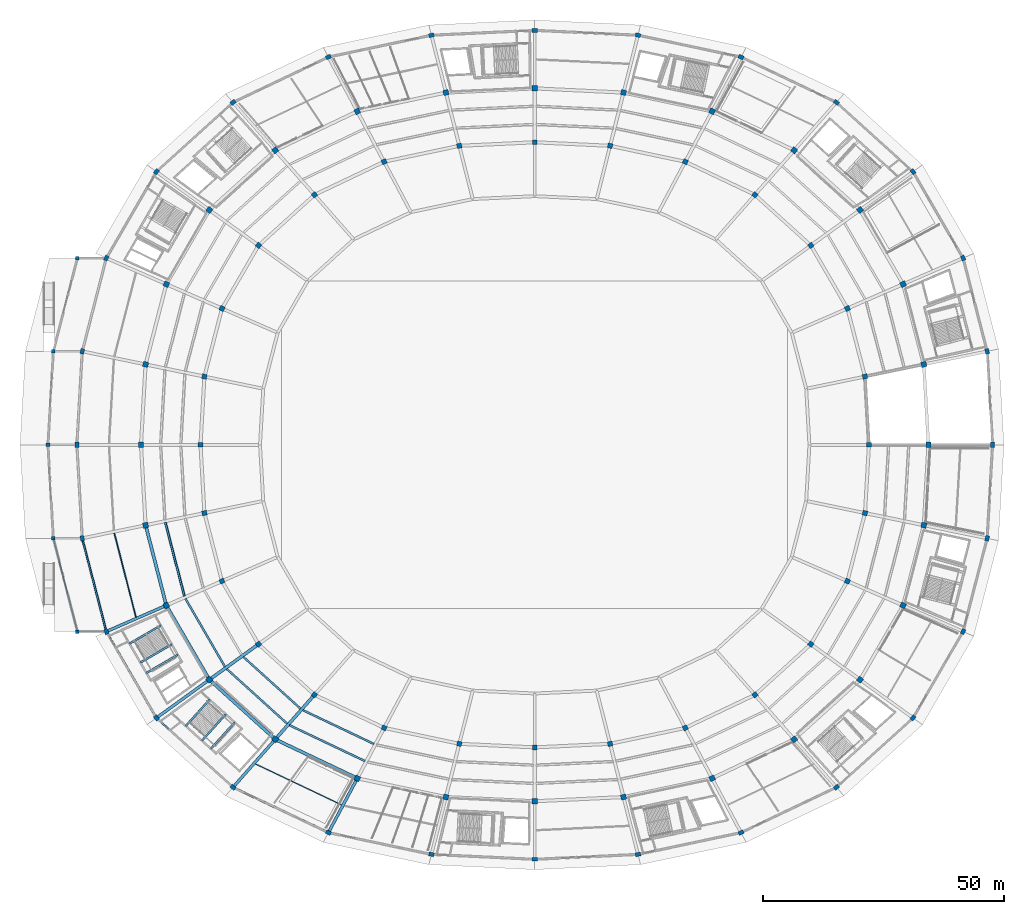
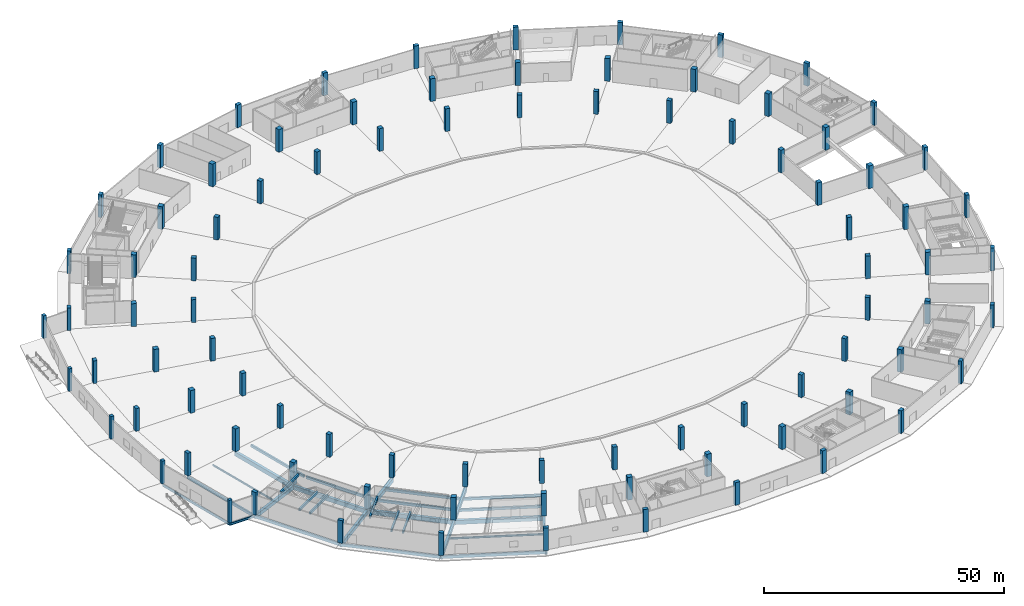
# One storey, part 1 of 48: 89 columns, 30 beams.
"""IFC4 building model written with IfcOpenShell, lengths in metres."""

from ifc_helpers import new_model, si_unit, direction, frame, origin, origin_2d, place, context, subcontext, project, spatial, rectangle, i_section, extrude, material, material_profile, profile_set, type_object, element, save


model = new_model("IFC4")

# Units and contexts
model_context = context("Model", 3, precision=1e-05, world=origin(), true_north=direction((0.0, 1.0)))
body_context = subcontext(model_context, "Body", "Model", "MODEL_VIEW")
ifc_project = project(units=[si_unit("LENGTHUNIT", "METRE"), si_unit("AREAUNIT", "SQUARE_METRE"), si_unit("VOLUMEUNIT", "CUBIC_METRE"), si_unit("PLANEANGLEUNIT", "RADIAN"), si_unit("MASSUNIT", "GRAM", prefix="KILO")], contexts=[model_context])

# Site, building, storey
site_placement = place(None, origin())
site = spatial("IfcSite", under=ifc_project, at=site_placement, CompositionType="ELEMENT")
building_placement = place(site_placement, origin())
building = spatial("IfcBuilding", under=site, at=building_placement, Name="Kazemori Nagisa Stadium", CompositionType="ELEMENT")
storey_placement = place(building_placement, origin())
storey = spatial("IfcBuildingStorey", under=building, at=storey_placement, Name="L00", CompositionType="ELEMENT", Elevation=0.0)

# Columns
ifc_material_1 = material(Name="Concrete C40/50 (Fc42)", Category="concrete")
ifc_material_profile_1 = material_profile(ifc_material_1, rectangle(XDim=1.0, YDim=1.0, at=origin_2d()), Name="RC-COL-1000x1000")
ifc_profile_set_1 = profile_set([ifc_material_profile_1], Name="Concrete C40/50 (Fc42)")
column_type_1 = type_object("IfcColumnType", Name="Column_C-RC1000", PredefinedType="COLUMN", material=ifc_profile_set_1)
for number, where, z_axis, x_axis, name in (
    (1, (192.35009765625, 102.0, 0.0), (0.0, 0.0, 1.0), (1.0, 0.0, 0.0), "Column C-RC1000 L00 R1-01"),
    (2, (191.532958984375, 116.160400390625, 0.0), (0.0, 0.0, 1.0), (0.974927912182, 0.222520933954, 0.0), "Column C-RC1000 L00 R1-02"),
    (3, (187.885986328125, 130.287109375, 0.0), (0.0, 0.0, 1.0), (0.900968867905, 0.433883739113, 0.0), "Column C-RC1000 L00 R1-03"),
    (4, (180.301513671875, 143.367431640625, 0.0), (0.0, 0.0, 1.0), (0.781831482473, 0.623489801853, 0.0), "Column C-RC1000 L00 R1-04"),
    (5, (168.696533203125, 153.873046875, 0.0), (0.0, 0.0, 1.0), (0.623489801853, 0.781831482473, 0.0), "Column C-RC1000 L00 R1-05"),
    (6, (154.24755859375, 160.739013671875, 0.0), (0.0, 0.0, 1.0), (0.433883739113, 0.900968867905, 0.0), "Column C-RC1000 L00 R1-06"),
    (7, (138.64208984375, 164.040283203125, 0.0), (0.0, 0.0, 1.0), (0.222520933954, 0.974927912182, 0.0), "Column C-RC1000 L00 R1-07"),
    (8, (123.0, 164.780029296875, 0.0), (0.0, 0.0, 1.0), (0.0, 1.0, 0.0), "Column C-RC1000 L00 R1-08"),
    (9, (107.35791015625, 164.040283203125, 0.0), (0.0, 0.0, 1.0), (-0.222520933954, 0.974927912182, 0.0), "Column C-RC1000 L00 R1-09"),
    (10, (91.75244140625, 160.739013671875, 0.0), (0.0, 0.0, 1.0), (-0.433883739113, 0.900968867905, 0.0), "Column C-RC1000 L00 R1-10"),
    (11, (77.303466796875, 153.873046875, 0.0), (0.0, 0.0, 1.0), (-0.623489801853, 0.781831482473, 0.0), "Column C-RC1000 L00 R1-11"),
    (12, (65.698486328125, 143.367431640625, 0.0), (0.0, 0.0, 1.0), (-0.781831482473, 0.623489801853, 0.0), "Column C-RC1000 L00 R1-12"),
    (13, (58.114013671875, 130.287109375, 0.0), (0.0, 0.0, 1.0), (-0.900968867905, 0.433883739113, 0.0), "Column C-RC1000 L00 R1-13"),
    (14, (54.467041015625, 116.160400390625, 0.0), (0.0, 0.0, 1.0), (-0.974927912182, 0.222520933954, 0.0), "Column C-RC1000 L00 R1-14"),
    (15, (53.64990234375, 102.0, 0.0), (0.0, 0.0, 1.0), (-1.0, 0.0, 0.0), "Column C-RC1000 L00 R1-15"),
    (16, (54.467041015625, 87.839599609375, 0.0), (0.0, 0.0, 1.0), (-0.974927912182, -0.222520933954, 0.0), "Column C-RC1000 L00 R1-16"),
    (17, (58.114013671875, 73.712890625, 0.0), (0.0, 0.0, 1.0), (-0.900968867905, -0.433883739113, 0.0), "Column C-RC1000 L00 R1-17"),
    (18, (65.698486328125, 60.632568359375, 0.0), (0.0, 0.0, 1.0), (-0.781831482473, -0.623489801853, 0.0), "Column C-RC1000 L00 R1-18"),
    (19, (77.303466796875, 50.126953125, 0.0), (0.0, 0.0, 1.0), (-0.623489801853, -0.781831482473, 0.0), "Column C-RC1000 L00 R1-19"),
    (20, (91.75244140625, 43.260986328125, 0.0), (0.0, 0.0, 1.0), (-0.433883739113, -0.900968867905, 0.0), "Column C-RC1000 L00 R1-20"),
    (21, (107.35791015625, 39.959716796875, 0.0), (0.0, 0.0, 1.0), (-0.222520933954, -0.974927912182, 0.0), "Column C-RC1000 L00 R1-21"),
    (22, (123.0, 39.219970703125, 0.0), (0.0, 0.0, 1.0), (0.0, -1.0, 0.0), "Column C-RC1000 L00 R1-22"),
    (23, (138.64208984375, 39.959716796875, 0.0), (0.0, 0.0, 1.0), (0.222520933954, -0.974927912182, 0.0), "Column C-RC1000 L00 R1-23"),
    (24, (154.24755859375, 43.260986328125, 0.0), (0.0, 0.0, 1.0), (0.433883739113, -0.900968867905, 0.0), "Column C-RC1000 L00 R1-24"),
    (25, (168.696533203125, 50.126953125, 0.0), (0.0, 0.0, 1.0), (0.623489801853, -0.781831482473, 0.0), "Column C-RC1000 L00 R1-25"),
    (26, (180.301513671875, 60.632568359375, 0.0), (0.0, 0.0, 1.0), (0.781831482473, -0.623489801853, 0.0), "Column C-RC1000 L00 R1-26"),
    (27, (187.885986328125, 73.712890625, 0.0), (0.0, 0.0, 1.0), (0.900968867905, -0.433883739113, 0.0), "Column C-RC1000 L00 R1-27"),
    (28, (191.532958984375, 87.839599609375, 0.0), (0.0, 0.0, 1.0), (0.974927912182, -0.222520933954, 0.0), "Column C-RC1000 L00 R1-28"),
):
    element("IfcColumn", number, at=place(storey_placement, frame(where, z_axis=z_axis, x_axis=x_axis)), inside=storey, type_object=column_type_1, Name=name, PredefinedType="COLUMN", context=body_context, shape_type="SweptSolid", body=[
        extrude(rectangle(XDim=1.0, YDim=1.0, at=origin_2d()), origin(), (0.0, 0.0, 1.0), 5.780029296875),
    ])
ifc_material_profile_2 = material_profile(ifc_material_1, rectangle(XDim=1.10009765625, YDim=1.10009765625, at=origin_2d()), Name="RC-COL-1100x1100")
ifc_profile_set_2 = profile_set([ifc_material_profile_2], Name="Concrete C40/50 (Fc42)")
column_type_2 = type_object("IfcColumnType", Name="Column_C-RC1100", PredefinedType="COLUMN", material=ifc_profile_set_2)
for number, where, z_axis, x_axis, name in (
    (29, (204.699951171875, 102.0, 0.0), (0.0, 0.0, 1.0), (1.0, 0.0, 0.0), "Column C-RC1100 L00 R2-01"),
    (30, (203.737548828125, 118.68212890625, 0.0), (0.0, 0.0, 1.0), (0.974927912182, 0.222520933954, 0.0), "Column C-RC1100 L00 R2-02"),
    (31, (199.44091796875, 135.32470703125, 0.0), (0.0, 0.0, 1.0), (0.900968867905, 0.433883739113, 0.0), "Column C-RC1100 L00 R2-03"),
    (32, (190.506103515625, 150.734130859375, 0.0), (0.0, 0.0, 1.0), (0.781831482473, 0.623489801853, 0.0), "Column C-RC1100 L00 R2-04"),
    (33, (176.834228515625, 163.11083984375, 0.0), (0.0, 0.0, 1.0), (0.623489801853, 0.781831482473, 0.0), "Column C-RC1100 L00 R2-05"),
    (34, (159.81201171875, 171.19921875, 0.0), (0.0, 0.0, 1.0), (0.433883739113, 0.900968867905, 0.0), "Column C-RC1100 L00 R2-06"),
    (35, (141.427734375, 175.088623046875, 0.0), (0.0, 0.0, 1.0), (0.222520933954, 0.974927912182, 0.0), "Column C-RC1100 L00 R2-07"),
    (36, (123.0, 175.9599609375, 0.0), (0.0, 0.0, 1.0), (0.0, 1.0, 0.0), "Column C-RC1100 L00 R2-08"),
    (37, (104.572265625, 175.088623046875, 0.0), (0.0, 0.0, 1.0), (-0.222520933954, 0.974927912182, 0.0), "Column C-RC1100 L00 R2-09"),
    (38, (86.18798828125, 171.19921875, 0.0), (0.0, 0.0, 1.0), (-0.433883739113, 0.900968867905, 0.0), "Column C-RC1100 L00 R2-10"),
    (39, (69.165771484375, 163.11083984375, 0.0), (0.0, 0.0, 1.0), (-0.623489801853, 0.781831482473, 0.0), "Column C-RC1100 L00 R2-11"),
    (40, (55.493896484375, 150.734130859375, 0.0), (0.0, 0.0, 1.0), (-0.781831482473, 0.623489801853, 0.0), "Column C-RC1100 L00 R2-12"),
    (41, (46.55908203125, 135.32470703125, 0.0), (0.0, 0.0, 1.0), (-0.900968867905, 0.433883739113, 0.0), "Column C-RC1100 L00 R2-13"),
    (42, (42.262451171875, 118.68212890625, 0.0), (0.0, 0.0, 1.0), (-0.974927912182, 0.222520933954, 0.0), "Column C-RC1100 L00 R2-14"),
    (43, (41.300048828125, 102.0, 0.0), (0.0, 0.0, 1.0), (-1.0, 0.0, 0.0), "Column C-RC1100 L00 R2-15"),
    (44, (42.262451171875, 85.31787109375, 0.0), (0.0, 0.0, 1.0), (-0.974927912182, -0.222520933954, 0.0), "Column C-RC1100 L00 R2-16"),
    (45, (46.55908203125, 68.67529296875, 0.0), (0.0, 0.0, 1.0), (-0.900968867905, -0.433883739113, 0.0), "Column C-RC1100 L00 R2-17"),
    (46, (55.493896484375, 53.265869140625, 0.0), (0.0, 0.0, 1.0), (-0.781831482473, -0.623489801853, 0.0), "Column C-RC1100 L00 R2-18"),
    (47, (69.165771484375, 40.88916015625, 0.0), (0.0, 0.0, 1.0), (-0.623489801853, -0.781831482473, 0.0), "Column C-RC1100 L00 R2-19"),
    (48, (86.18798828125, 32.80078125, 0.0), (0.0, 0.0, 1.0), (-0.433883739113, -0.900968867905, 0.0), "Column C-RC1100 L00 R2-20"),
    (49, (104.572265625, 28.911376953125, 0.0), (0.0, 0.0, 1.0), (-0.222520933954, -0.974927912182, 0.0), "Column C-RC1100 L00 R2-21"),
    (50, (123.0, 28.0400390625, 0.0), (0.0, 0.0, 1.0), (0.0, -1.0, 0.0), "Column C-RC1100 L00 R2-22"),
    (51, (141.427734375, 28.911376953125, 0.0), (0.0, 0.0, 1.0), (0.222520933954, -0.974927912182, 0.0), "Column C-RC1100 L00 R2-23"),
    (52, (159.81201171875, 32.80078125, 0.0), (0.0, 0.0, 1.0), (0.433883739113, -0.900968867905, 0.0), "Column C-RC1100 L00 R2-24"),
    (53, (176.834228515625, 40.88916015625, 0.0), (0.0, 0.0, 1.0), (0.623489801853, -0.781831482473, 0.0), "Column C-RC1100 L00 R2-25"),
    (54, (190.506103515625, 53.265869140625, 0.0), (0.0, 0.0, 1.0), (0.781831482473, -0.623489801853, 0.0), "Column C-RC1100 L00 R2-26"),
    (55, (199.44091796875, 68.67529296875, 0.0), (0.0, 0.0, 1.0), (0.900968867905, -0.433883739113, 0.0), "Column C-RC1100 L00 R2-27"),
    (56, (203.737548828125, 85.31787109375, 0.0), (0.0, 0.0, 1.0), (0.974927912182, -0.222520933954, 0.0), "Column C-RC1100 L00 R2-28"),
):
    element("IfcColumn", number, at=place(storey_placement, frame(where, z_axis=z_axis, x_axis=x_axis)), inside=storey, type_object=column_type_2, Name=name, PredefinedType="COLUMN", context=body_context, shape_type="SweptSolid", body=[
        extrude(rectangle(XDim=1.10009765625, YDim=1.10009765625, at=origin_2d()), origin(), (0.0, 0.0, 1.0), 5.780029296875),
    ])
ifc_material_profile_3 = material_profile(ifc_material_1, rectangle(XDim=0.75, YDim=0.75, at=origin_2d()), Name="RC-COL-750x750")
ifc_profile_set_3 = profile_set([ifc_material_profile_3], Name="Concrete C40/50 (Fc42)")
column_type_3 = type_object("IfcColumnType", Name="Column_C-RC750", PredefinedType="COLUMN", material=ifc_profile_set_3)
for number, where, z_axis, x_axis, name in (
    (57, (28.114990234375, 140.74951171875, 0.0), (0.0, 0.0, 1.0), (1.0, 0.0, 0.0), "Boulevard column C-RC750 L00 R4-13"),
    (58, (23.119140625, 121.397705078125, 0.0), (0.0, 0.0, 1.0), (1.0, 0.0, 0.0), "Boulevard column C-RC750 L00 R4-14"),
    (59, (22.0, 102.0, 0.0), (0.0, 0.0, 1.0), (1.0, 0.0, 0.0), "Boulevard column C-RC750 L00 R4-15"),
    (60, (23.119140625, 82.602294921875, 0.0), (0.0, 0.0, 1.0), (1.0, 0.0, 0.0), "Boulevard column C-RC750 L00 R4-16"),
    (61, (28.114990234375, 63.25048828125, 0.0), (0.0, 0.0, 1.0), (1.0, 0.0, 0.0), "Boulevard column C-RC750 L00 R4-17"),
):
    element("IfcColumn", number, at=place(storey_placement, frame(where, z_axis=z_axis, x_axis=x_axis)), inside=storey, type_object=column_type_3, Name=name, PredefinedType="COLUMN", context=body_context, shape_type="SweptSolid", body=[
        extrude(rectangle(XDim=0.75, YDim=0.75, at=origin_2d()), origin(), (0.0, 0.0, 1.0), 5.780029296875),
    ])
ifc_material_profile_4 = material_profile(ifc_material_1, rectangle(XDim=0.800048828125, YDim=1.10009765625, at=origin_2d()), Name="RC-COL-800x1100")
ifc_profile_set_4 = profile_set([ifc_material_profile_4], Name="Concrete C40/50 (Fc42)")
column_type_4 = type_object("IfcColumnType", Name="Column_C-RC800X1100", PredefinedType="COLUMN", material=ifc_profile_set_4)
for number, where, z_axis, x_axis, name in (
    (62, (218.0, 102.0, 0.0), (0.0, 0.0, 1.0), (1.0, 0.0, 0.0), "Column C-RC800X1100 L00 R3-01"),
    (63, (216.880859375, 121.397705078125, 0.0), (0.0, 0.0, 1.0), (0.974927912182, 0.222520933954, 0.0), "Column C-RC800X1100 L00 R3-02"),
    (64, (211.885009765625, 140.74951171875, 0.0), (0.0, 0.0, 1.0), (0.900968867905, 0.433883739113, 0.0), "Column C-RC800X1100 L00 R3-03"),
    (65, (201.495361328125, 158.667724609375, 0.0), (0.0, 0.0, 1.0), (0.781831482473, 0.623489801853, 0.0), "Column C-RC800X1100 L00 R3-04"),
    (66, (185.597900390625, 173.05908203125, 0.0), (0.0, 0.0, 1.0), (0.623489801853, 0.781831482473, 0.0), "Column C-RC800X1100 L00 R3-05"),
    (67, (165.8046875, 182.46435546875, 0.0), (0.0, 0.0, 1.0), (0.433883739113, 0.900968867905, 0.0), "Column C-RC800X1100 L00 R3-06"),
    (68, (144.427734375, 186.98681640625, 0.0), (0.0, 0.0, 1.0), (0.222520933954, 0.974927912182, 0.0), "Column C-RC800X1100 L00 R3-07"),
    (69, (123.0, 188.0, 0.0), (0.0, 0.0, 1.0), (0.0, 1.0, 0.0), "Column C-RC800X1100 L00 R3-08"),
    (70, (101.572265625, 186.98681640625, 0.0), (0.0, 0.0, 1.0), (-0.222520933954, 0.974927912182, 0.0), "Column C-RC800X1100 L00 R3-09"),
    (71, (80.1953125, 182.46435546875, 0.0), (0.0, 0.0, 1.0), (-0.433883739113, 0.900968867905, 0.0), "Column C-RC800X1100 L00 R3-10"),
    (72, (60.402099609375, 173.05908203125, 0.0), (0.0, 0.0, 1.0), (-0.623489801853, 0.781831482473, 0.0), "Column C-RC800X1100 L00 R3-11"),
    (73, (44.504638671875, 158.667724609375, 0.0), (0.0, 0.0, 1.0), (-0.781831482473, 0.623489801853, 0.0), "Column C-RC800X1100 L00 R3-12"),
    (74, (34.114990234375, 140.74951171875, 0.0), (0.0, 0.0, 1.0), (-0.900968867905, 0.433883739113, 0.0), "Column C-RC800X1100 L00 R3-13"),
    (75, (29.119140625, 121.397705078125, 0.0), (0.0, 0.0, 1.0), (-0.974927912182, 0.222520933954, 0.0), "Column C-RC800X1100 L00 R3-14"),
    (76, (28.0, 102.0, 0.0), (0.0, 0.0, 1.0), (-1.0, 0.0, 0.0), "Column C-RC800X1100 L00 R3-15"),
    (77, (29.119140625, 82.602294921875, 0.0), (0.0, 0.0, 1.0), (-0.974927912182, -0.222520933954, 0.0), "Column C-RC800X1100 L00 R3-16"),
    (78, (34.114990234375, 63.25048828125, 0.0), (0.0, 0.0, 1.0), (-0.900968867905, -0.433883739113, 0.0), "Column C-RC800X1100 L00 R3-17"),
    (79, (44.504638671875, 45.332275390625, 0.0), (0.0, 0.0, 1.0), (-0.781831482473, -0.623489801853, 0.0), "Column C-RC800X1100 L00 R3-18"),
    (80, (60.402099609375, 30.94091796875, 0.0), (0.0, 0.0, 1.0), (-0.623489801853, -0.781831482473, 0.0), "Column C-RC800X1100 L00 R3-19"),
    (81, (80.1953125, 21.53564453125, 0.0), (0.0, 0.0, 1.0), (-0.433883739113, -0.900968867905, 0.0), "Column C-RC800X1100 L00 R3-20"),
    (82, (101.572265625, 17.01318359375, 0.0), (0.0, 0.0, 1.0), (-0.222520933954, -0.974927912182, 0.0), "Column C-RC800X1100 L00 R3-21"),
    (83, (123.0, 16.0, 0.0), (0.0, 0.0, 1.0), (0.0, -1.0, 0.0), "Column C-RC800X1100 L00 R3-22"),
    (84, (144.427734375, 17.01318359375, 0.0), (0.0, 0.0, 1.0), (0.222520933954, -0.974927912182, 0.0), "Column C-RC800X1100 L00 R3-23"),
    (85, (165.8046875, 21.53564453125, 0.0), (0.0, 0.0, 1.0), (0.433883739113, -0.900968867905, 0.0), "Column C-RC800X1100 L00 R3-24"),
    (86, (185.597900390625, 30.94091796875, 0.0), (0.0, 0.0, 1.0), (0.623489801853, -0.781831482473, 0.0), "Column C-RC800X1100 L00 R3-25"),
    (87, (201.495361328125, 45.332275390625, 0.0), (0.0, 0.0, 1.0), (0.781831482473, -0.623489801853, 0.0), "Column C-RC800X1100 L00 R3-26"),
    (88, (211.885009765625, 63.25048828125, 0.0), (0.0, 0.0, 1.0), (0.900968867905, -0.433883739113, 0.0), "Column C-RC800X1100 L00 R3-27"),
    (89, (216.880859375, 82.602294921875, 0.0), (0.0, 0.0, 1.0), (0.974927912182, -0.222520933954, 0.0), "Column C-RC800X1100 L00 R3-28"),
):
    element("IfcColumn", number, at=place(storey_placement, frame(where, z_axis=z_axis, x_axis=x_axis)), inside=storey, type_object=column_type_4, Name=name, PredefinedType="COLUMN", context=body_context, shape_type="SweptSolid", body=[
        extrude(rectangle(XDim=0.800048828125, YDim=1.10009765625, at=origin_2d()), origin(), (0.0, 0.0, 1.0), 5.780029296875),
    ])

# Beams
ifc_material_2 = material(Name="Steel SN490B", Category="steel")
ifc_material_profile_5 = material_profile(ifc_material_2, i_section(OverallWidth=0.300048828125, OverallDepth=0.587890625, WebThickness=0.011962890625, FlangeThickness=0.02001953125, FilletRadius=0.012939453125, at=origin_2d()), Name="H-588x300x12x20")
ifc_profile_set_5 = profile_set([ifc_material_profile_5], Name="Steel SN490B")
beam_type_1 = type_object("IfcBeamType", Name="Beam_BG-H588", PredefinedType="BEAM", material=ifc_profile_set_5)
beam_1_placement = place(storey_placement, frame((34.114990234375, 63.25048828125, -0.593994140625), z_axis=(-1.0, 0.0, 0.0), x_axis=(0.0, -1.0, 0.0)))
element("IfcBeam", 90, at=beam_1_placement, inside=storey, type_object=beam_type_1, Name="Boulevard radial girder BG-H588 L00 R4-17", PredefinedType="BEAM", context=body_context, shape_type="SweptSolid", body=[
    extrude(i_section(OverallWidth=0.300048828125, OverallDepth=0.587890625, WebThickness=0.011962890625, FlangeThickness=0.02001953125, FilletRadius=0.012939453125, at=origin_2d()), origin(), (0.0, 0.0, 1.0), 6.0),
])
ifc_material_profile_6 = material_profile(ifc_material_1, rectangle(XDim=0.39990234375, YDim=0.60009765625, at=origin_2d()), Name="RC-BM-400x600")
ifc_profile_set_6 = profile_set([ifc_material_profile_6], Name="Concrete C40/50 (Fc42)")
beam_type_2 = type_object("IfcBeamType", Name="Beam_BG-LND400X600", PredefinedType="BEAM", material=ifc_profile_set_6)
beam_2_placement = place(storey_placement, frame((47.680419921875, 60.595703125, 2.389892578125), z_axis=(-0.865100563486, -0.501598459981, 0.0), x_axis=(0.501598459981, -0.865100563486, 0.0)))
element("IfcBeam", 91, at=beam_2_placement, inside=storey, type_object=beam_type_2, Name="Core stair mid-landing girder ST09-L00-1", PredefinedType="BEAM", context=body_context, shape_type="SweptSolid", body=[
    extrude(rectangle(XDim=0.39990234375, YDim=0.60009765625, at=origin_2d()), origin(), (0.0, 0.0, 1.0), 7.513671875),
])
beam_3_placement = place(storey_placement, frame((48.9345703125, 58.43310546875, 2.389892578125), z_axis=(-0.865094639125, -0.501608677514, 0.0), x_axis=(0.501608677514, -0.865094639125, 0.0)))
element("IfcBeam", 92, at=beam_3_placement, inside=storey, type_object=beam_type_2, Name="Core stair mid-landing girder ST09-L00-2", PredefinedType="BEAM", context=body_context, shape_type="SweptSolid", body=[
    extrude(rectangle(XDim=0.39990234375, YDim=0.60009765625, at=origin_2d()), origin(), (0.0, 0.0, 1.0), 7.513916015625),
])
beam_4_placement = place(storey_placement, frame((45.408203125, 64.5146484375, 5.199951171875), z_axis=(-0.865086463473, -0.50162277731, 0.0), x_axis=(0.50162277731, -0.865086463473, 0.0)))
element("IfcBeam", 93, at=beam_4_placement, inside=storey, type_object=beam_type_2, Name="Core stair arrival header girder ST09-L00", PredefinedType="BEAM", context=body_context, shape_type="SweptSolid", body=[
    extrude(rectangle(XDim=0.39990234375, YDim=0.60009765625, at=origin_2d()), origin(), (0.0, 0.0, 1.0), 7.513671875),
])
beam_5_placement = place(storey_placement, frame((58.90380859375, 46.091796875, 2.389892578125), z_axis=(-0.671113236271, -0.74135485707, 0.0), x_axis=(0.74135485707, -0.671113236271, 0.0)))
element("IfcBeam", 94, at=beam_5_placement, inside=storey, type_object=beam_type_2, Name="Core stair mid-landing girder ST03-L00-1", PredefinedType="BEAM", context=body_context, shape_type="SweptSolid", body=[
    extrude(rectangle(XDim=0.39990234375, YDim=0.60009765625, at=origin_2d()), origin(), (0.0, 0.0, 1.0), 7.385986328125),
])
for number, where, z_axis, x_axis, name in (
    (95, (60.75732421875, 44.413818359375, 2.389892578125), (-0.671129682405, -0.741339968837, 0.0), (0.741339968837, -0.671129682405, 0.0), "Core stair mid-landing girder ST03-L00-2"),
    (96, (55.545654296875, 49.1318359375, 5.199951171875), (-0.671129682405, -0.741339968837, 0.0), (0.741339968837, -0.671129682405, 0.0), "Core stair arrival header girder ST03-L00"),
):
    element("IfcBeam", number, at=place(storey_placement, frame(where, z_axis=z_axis, x_axis=x_axis)), inside=storey, type_object=beam_type_2, Name=name, PredefinedType="BEAM", context=body_context, shape_type="SweptSolid", body=[
        extrude(rectangle(XDim=0.39990234375, YDim=0.60009765625, at=origin_2d()), origin(), (0.0, 0.0, 1.0), 7.3857421875),
    ])
ifc_material_profile_7 = material_profile(ifc_material_1, rectangle(XDim=0.60009765625, YDim=0.949951171875, at=origin_2d()), Name="RC-BM-600x950")
ifc_profile_set_7 = profile_set([ifc_material_profile_7], Name="Concrete C40/50 (Fc42)")
beam_type_3 = type_object("IfcBeamType", Name="Beam_BG-RC600X950", PredefinedType="BEAM", material=ifc_profile_set_7)
beam_6_placement = place(storey_placement, frame((46.55908203125, 68.67529296875, -0.77490234375), z_axis=(-0.916683633521, -0.399613708517, 0.0), x_axis=(0.399613708517, -0.916683633521, 0.0)))
element("IfcBeam", 97, at=beam_6_placement, inside=storey, type_object=beam_type_3, Name="Radial girder BG-RC600X950 L00 R2-R3-17", PredefinedType="BEAM", context=body_context, shape_type="SweptSolid", body=[
    extrude(rectangle(XDim=0.60009765625, YDim=0.949951171875, at=origin_2d()), origin(), (0.0, 0.0, 1.0), 13.5751953125),
])
beam_7_placement = place(storey_placement, frame((55.493896484375, 53.265869140625, -0.77490234375), z_axis=(-0.810787509935, -0.585340596349, 0.0), x_axis=(0.585340596349, -0.810787509935, 0.0)))
element("IfcBeam", 98, at=beam_7_placement, inside=storey, type_object=beam_type_3, Name="Radial girder BG-RC600X950 L00 R2-R3-18", PredefinedType="BEAM", context=body_context, shape_type="SweptSolid", body=[
    extrude(rectangle(XDim=0.60009765625, YDim=0.949951171875, at=origin_2d()), origin(), (0.0, 0.0, 1.0), 13.5537109375),
])
beam_8_placement = place(storey_placement, frame((69.165771484375, 40.88916015625, -0.77490234375), z_axis=(-0.661019680997, -0.750368563664, 0.0), x_axis=(0.750368563664, -0.661019680997, 0.0)))
element("IfcBeam", 99, at=beam_8_placement, inside=storey, type_object=beam_type_3, Name="Radial girder BG-RC600X950 L00 R2-R3-19", PredefinedType="BEAM", context=body_context, shape_type="SweptSolid", body=[
    extrude(rectangle(XDim=0.60009765625, YDim=0.949951171875, at=origin_2d()), origin(), (0.0, 0.0, 1.0), 13.2578125),
])
beam_9_placement = place(storey_placement, frame((86.18798828125, 32.80078125, -0.77490234375), z_axis=(-0.469648511848, -0.882853484628, 0.0), x_axis=(0.882853484628, -0.469648511848, 0.0)))
element("IfcBeam", 100, at=beam_9_placement, inside=storey, type_object=beam_type_3, Name="Radial girder BG-RC600X950 L00 R2-R3-20", PredefinedType="BEAM", context=body_context, shape_type="SweptSolid", body=[
    extrude(rectangle(XDim=0.60009765625, YDim=0.949951171875, at=origin_2d()), origin(), (0.0, 0.0, 1.0), 12.760009765625),
])
ifc_material_profile_8 = material_profile(ifc_material_1, rectangle(XDim=0.64990234375, YDim=1.050048828125, at=origin_2d()), Name="RC-BM-650x1050")
ifc_profile_set_8 = profile_set([ifc_material_profile_8], Name="Concrete C40/50 (Fc42)")
beam_type_4 = type_object("IfcBeamType", Name="Beam_BG-RC650X1050", PredefinedType="BEAM", material=ifc_profile_set_8)
beam_10_placement = place(storey_placement, frame((42.262451171875, 85.31787109375, -0.824951171875), z_axis=(0.249974673676, -0.968252375427, 0.0), x_axis=(0.968252375427, 0.249974673676, 0.0)))
element("IfcBeam", 101, at=beam_10_placement, inside=storey, type_object=beam_type_4, Name="Ring girder BG-RC650X1050 L00 R2-16", PredefinedType="BEAM", context=body_context, shape_type="SweptSolid", body=[
    extrude(rectangle(XDim=0.64990234375, YDim=1.050048828125, at=origin_2d()), origin(), (0.0, 0.0, 1.0), 17.188232421875),
])
beam_11_placement = place(storey_placement, frame((46.55908203125, 68.67529296875, -0.824951171875), z_axis=(0.501606704589, -0.865095783085, 0.0), x_axis=(0.865095783085, 0.501606704589, 0.0)))
element("IfcBeam", 102, at=beam_11_placement, inside=storey, type_object=beam_type_4, Name="Ring girder BG-RC650X1050 L00 R2-17", PredefinedType="BEAM", context=body_context, shape_type="SweptSolid", body=[
    extrude(rectangle(XDim=0.64990234375, YDim=1.050048828125, at=origin_2d()), origin(), (0.0, 0.0, 1.0), 17.8125),
])
beam_12_placement = place(storey_placement, frame((55.493896484375, 53.265869140625, -0.824951171875), z_axis=(0.741349142139, -0.671119549298, 0.0), x_axis=(0.671119549298, 0.741349142139, 0.0)))
element("IfcBeam", 103, at=beam_12_placement, inside=storey, type_object=beam_type_4, Name="Ring girder BG-RC650X1050 L00 R2-18", PredefinedType="BEAM", context=body_context, shape_type="SweptSolid", body=[
    extrude(rectangle(XDim=0.64990234375, YDim=1.050048828125, at=origin_2d()), origin(), (0.0, 0.0, 1.0), 18.44189453125),
])
beam_13_placement = place(storey_placement, frame((69.165771484375, 40.88916015625, -0.824951171875), z_axis=(0.90321938295, -0.42917915404, 0.0), x_axis=(0.42917915404, 0.90321938295, 0.0)))
element("IfcBeam", 104, at=beam_13_placement, inside=storey, type_object=beam_type_4, Name="Ring girder BG-RC650X1050 L00 R2-19", PredefinedType="BEAM", context=body_context, shape_type="SweptSolid", body=[
    extrude(rectangle(XDim=0.64990234375, YDim=1.050048828125, at=origin_2d()), origin(), (0.0, 0.0, 1.0), 18.84619140625),
])
beam_14_placement = place(storey_placement, frame((65.698486328125, 60.632568359375, -0.824951171875), z_axis=(-0.810802996314, -0.585319144714, 0.0), x_axis=(0.585319144714, -0.810802996314, 0.0)))
element("IfcBeam", 105, at=beam_14_placement, inside=storey, type_object=beam_type_4, Name="Radial girder BG-RC650X1050 L00 R1-R2-18", PredefinedType="BEAM", context=body_context, shape_type="SweptSolid", body=[
    extrude(rectangle(XDim=0.64990234375, YDim=1.050048828125, at=origin_2d()), origin(), (0.0, 0.0, 1.0), 12.585693359375),
])
beam_15_placement = place(storey_placement, frame((77.303466796875, 50.126953125, -0.824951171875), z_axis=(-0.66101406015, -0.75037351518, 0.0), x_axis=(0.75037351518, -0.66101406015, 0.0)))
element("IfcBeam", 106, at=beam_15_placement, inside=storey, type_object=beam_type_4, Name="Radial girder BG-RC650X1050 L00 R1-R2-19", PredefinedType="BEAM", context=body_context, shape_type="SweptSolid", body=[
    extrude(rectangle(XDim=0.64990234375, YDim=1.050048828125, at=origin_2d()), origin(), (0.0, 0.0, 1.0), 12.31103515625),
])
ifc_material_profile_9 = material_profile(ifc_material_2, i_section(OverallWidth=0.199951171875, OverallDepth=0.449951171875, WebThickness=0.009033203125, FlangeThickness=0.013916015625, FilletRadius=0.012939453125, at=origin_2d()), Name="H-450x200x9x14")
ifc_profile_set_9 = profile_set([ifc_material_profile_9], Name="Steel SN490B")
beam_type_5 = type_object("IfcBeamType", Name="Beam_BJ-H450", PredefinedType="JOIST", material=ifc_profile_set_9)
beam_16_placement = place(storey_placement, frame((35.7646484375, 83.674560546875, -0.52490234375), z_axis=(0.249955969604, -0.968257204083, 0.0), x_axis=(0.968257204083, 0.249955969604, 0.0)))
element("IfcBeam", 107, at=beam_16_placement, inside=storey, type_object=beam_type_5, Name="Outer bay joist BJ-H450 L00 B16", PredefinedType="JOIST", context=body_context, shape_type="SweptSolid", body=[
    extrude(i_section(OverallWidth=0.199951171875, OverallDepth=0.449951171875, WebThickness=0.009033203125, FlangeThickness=0.013916015625, FilletRadius=0.012939453125, at=origin_2d()), origin(), (0.0, 0.0, 1.0), 17.997314453125),
])
beam_17_placement = place(storey_placement, frame((65.05029296875, 35.78857421875, -0.52490234375), z_axis=(0.903215938438, -0.429186403036, 0.0), x_axis=(0.429186403036, 0.903215938438, 0.0)))
element("IfcBeam", 108, at=beam_17_placement, inside=storey, type_object=beam_type_5, Name="Outer bay joist BJ-H450 L00 B19", PredefinedType="JOIST", context=body_context, shape_type="SweptSolid", body=[
    extrude(i_section(OverallWidth=0.199951171875, OverallDepth=0.449951171875, WebThickness=0.009033203125, FlangeThickness=0.013916015625, FilletRadius=0.012939453125, at=origin_2d()), origin(), (0.0, 0.0, 1.0), 19.7900390625),
])
ifc_material_profile_10 = material_profile(ifc_material_1, rectangle(XDim=0.39990234375, YDim=0.64990234375, at=origin_2d()), Name="RC-BM-400x650")
ifc_profile_set_10 = profile_set([ifc_material_profile_10], Name="Concrete C40/50 (Fc42)")
beam_type_6 = type_object("IfcBeamType", Name="Beam_BJ-RC400X650", PredefinedType="JOIST", material=ifc_profile_set_10)
beam_18_placement = place(storey_placement, frame((46.373046875, 85.866455078125, -0.625), z_axis=(0.24997419154, -0.968252499901, 0.0), x_axis=(0.968252499901, 0.24997419154, 0.0)))
element("IfcBeam", 109, at=beam_18_placement, inside=storey, type_object=beam_type_6, Name="Concourse joist BJ-RC400X650 L00 B16-2", PredefinedType="JOIST", context=body_context, shape_type="SweptSolid", body=[
    extrude(rectangle(XDim=0.39990234375, YDim=0.64990234375, at=origin_2d()), origin(), (0.0, 0.0, 1.0), 15.739013671875),
])
beam_19_placement = place(storey_placement, frame((50.529052734375, 70.08642578125, -0.625), z_axis=(0.501604213872, -0.865097227268, 0.0), x_axis=(0.865097227268, 0.501604213872, 0.0)))
element("IfcBeam", 110, at=beam_19_placement, inside=storey, type_object=beam_type_6, Name="Concourse joist BJ-RC400X650 L00 B17-2", PredefinedType="JOIST", context=body_context, shape_type="SweptSolid", body=[
    extrude(rectangle(XDim=0.39990234375, YDim=0.64990234375, at=origin_2d()), origin(), (0.0, 0.0, 1.0), 16.331787109375),
])
beam_20_placement = place(storey_placement, frame((62.541748046875, 57.998046875, -0.625), z_axis=(0.741344716793, -0.671124437704, 0.0), x_axis=(0.671124437704, 0.741344716793, 0.0)))
element("IfcBeam", 111, at=beam_20_placement, inside=storey, type_object=beam_type_6, Name="Concourse joist BJ-RC400X650 L00 B18-1", PredefinedType="JOIST", context=body_context, shape_type="SweptSolid", body=[
    extrude(rectangle(XDim=0.39990234375, YDim=0.64990234375, at=origin_2d()), origin(), (0.0, 0.0, 1.0), 15.986328125),
])
beam_21_placement = place(storey_placement, frame((59.087890625, 55.504638671875, -0.625), z_axis=(0.741349213887, -0.671119470041, 0.0), x_axis=(0.671119470041, 0.741349213887, 0.0)))
element("IfcBeam", 112, at=beam_21_placement, inside=storey, type_object=beam_type_6, Name="Concourse joist BJ-RC400X650 L00 B18-2", PredefinedType="JOIST", context=body_context, shape_type="SweptSolid", body=[
    extrude(rectangle(XDim=0.39990234375, YDim=0.64990234375, at=origin_2d()), origin(), (0.0, 0.0, 1.0), 16.9296875),
])
beam_22_placement = place(storey_placement, frame((74.878173828125, 46.94482421875, -0.625), z_axis=(0.903215717065, -0.429186868912, 0.0), x_axis=(0.429186868912, 0.903215717065, 0.0)))
element("IfcBeam", 113, at=beam_22_placement, inside=storey, type_object=beam_type_6, Name="Concourse joist BJ-RC400X650 L00 B19-1", PredefinedType="JOIST", context=body_context, shape_type="SweptSolid", body=[
    extrude(rectangle(XDim=0.39990234375, YDim=0.64990234375, at=origin_2d()), origin(), (0.0, 0.0, 1.0), 16.349609375),
])
beam_23_placement = place(storey_placement, frame((72.1240234375, 43.818115234375, -0.625), z_axis=(0.903215468459, -0.429187392099, 0.0), x_axis=(0.429187392099, 0.903215468459, 0.0)))
element("IfcBeam", 114, at=beam_23_placement, inside=storey, type_object=beam_type_6, Name="Concourse joist BJ-RC400X650 L00 B19-2", PredefinedType="JOIST", context=body_context, shape_type="SweptSolid", body=[
    extrude(rectangle(XDim=0.39990234375, YDim=0.64990234375, at=origin_2d()), origin(), (0.0, 0.0, 1.0), 17.31396484375),
])
ifc_material_profile_11 = material_profile(ifc_material_2, i_section(OverallWidth=0.199951171875, OverallDepth=0.60009765625, WebThickness=0.010986328125, FlangeThickness=0.01708984375, FilletRadius=0.012939453125, at=origin_2d()), Name="H-600x200x11x17")
ifc_profile_set_11 = profile_set([ifc_material_profile_11], Name="Steel SN490B")
beam_type_7 = type_object("IfcBeamType", Name="Beam_BS-H600", PredefinedType="SPANDREL", material=ifc_profile_set_11)
beam_24_placement = place(storey_placement, frame((23.119140625, 82.602294921875, -0.593994140625), z_axis=(0.249964097999, -0.968255105699, 0.0), x_axis=(0.968255105699, 0.249964097999, 0.0)))
element("IfcBeam", 115, at=beam_24_placement, inside=storey, type_object=beam_type_7, Name="Boulevard edge beam BS-H600 L00 R4-16", PredefinedType="SPANDREL", context=body_context, shape_type="SweptSolid", body=[
    extrude(i_section(OverallWidth=0.199951171875, OverallDepth=0.60009765625, WebThickness=0.010986328125, FlangeThickness=0.01708984375, FilletRadius=0.012939453125, at=origin_2d()), origin(), (0.0, 0.0, 1.0), 19.986328125),
])
ifc_material_profile_12 = material_profile(ifc_material_1, rectangle(XDim=0.35009765625, YDim=0.699951171875, at=origin_2d()), Name="RC-SP-350x700")
ifc_profile_set_12 = profile_set([ifc_material_profile_12], Name="Concrete C40/50 (Fc42)")
beam_type_8 = type_object("IfcBeamType", Name="Beam_BS-RC350X700", PredefinedType="SPANDREL", material=ifc_profile_set_12)
beam_25_placement = place(storey_placement, frame((29.119140625, 82.602294921875, -0.64990234375), z_axis=(0.249964097999, -0.968255105699, 0.0), x_axis=(0.968255105699, 0.249964097999, 0.0)))
element("IfcBeam", 116, at=beam_25_placement, inside=storey, type_object=beam_type_8, Name="Ring girder BS-RC350X700 L00 R3-16", PredefinedType="SPANDREL", context=body_context, shape_type="SweptSolid", body=[
    extrude(rectangle(XDim=0.35009765625, YDim=0.699951171875, at=origin_2d()), origin(), (0.0, 0.0, 1.0), 19.986328125),
])
beam_26_placement = place(storey_placement, frame((34.114990234375, 63.25048828125, -0.64990234375), z_axis=(0.50161277459, -0.8650922635, 0.0), x_axis=(0.8650922635, 0.50161277459, 0.0)))
element("IfcBeam", 117, at=beam_26_placement, inside=storey, type_object=beam_type_8, Name="Ring girder BS-RC350X700 L00 R3-17", PredefinedType="SPANDREL", context=body_context, shape_type="SweptSolid", body=[
    extrude(rectangle(XDim=0.35009765625, YDim=0.699951171875, at=origin_2d()), origin(), (0.0, 0.0, 1.0), 20.71240234375),
])
beam_27_placement = place(storey_placement, frame((44.504638671875, 45.332275390625, -0.64990234375), z_axis=(0.741351531326, -0.671116910084, 0.0), x_axis=(0.671116910084, 0.741351531326, 0.0)))
element("IfcBeam", 118, at=beam_27_placement, inside=storey, type_object=beam_type_8, Name="Ring girder BS-RC350X700 L00 R3-18", PredefinedType="SPANDREL", context=body_context, shape_type="SweptSolid", body=[
    extrude(rectangle(XDim=0.35009765625, YDim=0.699951171875, at=origin_2d()), origin(), (0.0, 0.0, 1.0), 21.44384765625),
])
beam_28_placement = place(storey_placement, frame((60.402099609375, 30.94091796875, -0.64990234375), z_axis=(0.903215644095, -0.429187022475, 0.0), x_axis=(0.429187022475, 0.903215644095, 0.0)))
element("IfcBeam", 119, at=beam_28_placement, inside=storey, type_object=beam_type_8, Name="Ring girder BS-RC350X700 L00 R3-19", PredefinedType="SPANDREL", context=body_context, shape_type="SweptSolid", body=[
    extrude(rectangle(XDim=0.35009765625, YDim=0.699951171875, at=origin_2d()), origin(), (0.0, 0.0, 1.0), 21.9140625),
])

save(model, "model.ifc")
